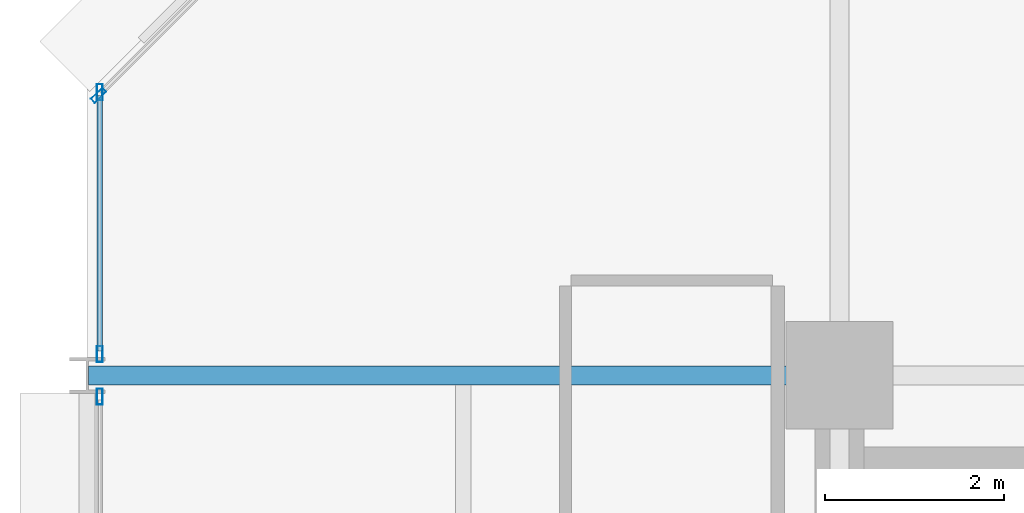
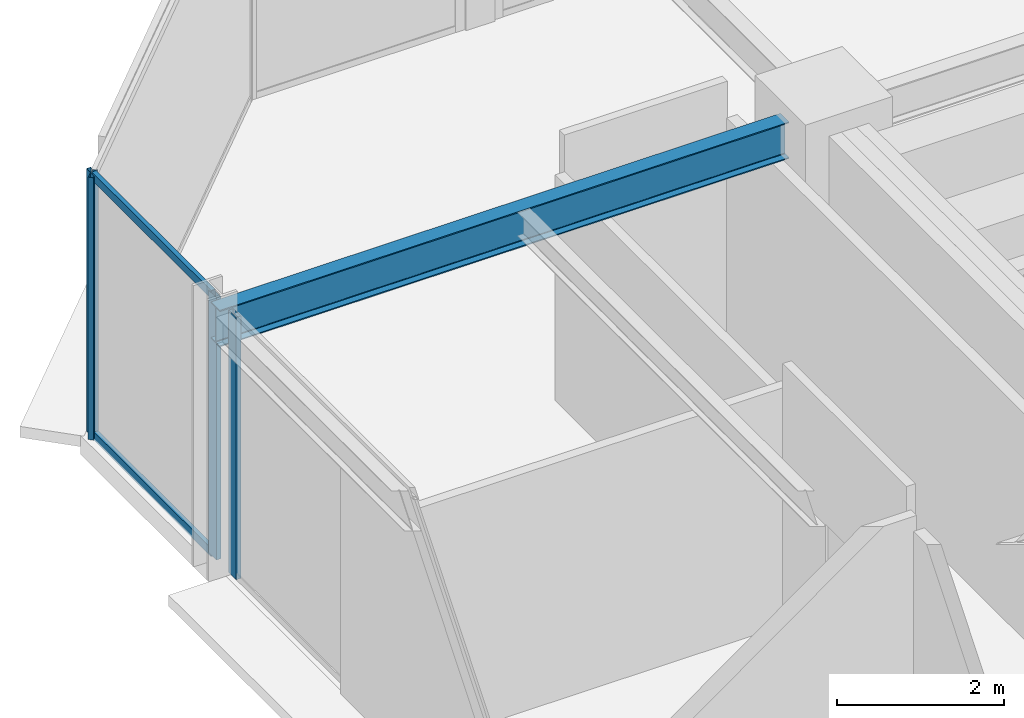
# One storey, part 18 of 30: 6 members, 1 beam, 3 elements without a shape of their own.
"""IFC4 building model written with IfcOpenShell, lengths in metres."""

import ifcopenshell
import ifcopenshell.guid

model = None  # the IFC model being written
_history = None  # IfcOwnerHistory: only IFC2X3 demands one
_inside = {}  # id of a spatial element -> (the spatial element, [elements in it])
_under = {}  # id of a project, library or spatial element -> (it, [spatial elements below it])
_declared = {}  # id of a project -> (the project, [libraries it declares])
_typed = {}  # id of a type object -> (the type object, [elements of that type])
_made_of = {}  # id of a material, layer set ... -> (it, [elements and type objects made of it])


def new_model(schema):
    """Start an empty IFC model of exactly this schema.

    Asked for "IFC4X3", IfcOpenShell would pick the latest addendum, in which some entities
    have other attributes; the version numbers below select the first issue.
    IFC2X3 requires an IfcOwnerHistory on every rooted entity: one is made here for all.
    """
    global model, _history
    if schema == "IFC4X3":
        model = ifcopenshell.file(schema_version=(4, 3, 0, 0))
    else:
        model = ifcopenshell.file(schema=schema)
    _inside.clear()
    _under.clear()
    _declared.clear()
    _typed.clear()
    _made_of.clear()
    _history = None
    if model.schema == "IFC2X3":
        org = make("IfcOrganization", Name="unknown")
        user = make(
            "IfcPersonAndOrganization",
            ThePerson=make("IfcPerson", FamilyName="unknown"),
            TheOrganization=org,
        )
        app = make(
            "IfcApplication",
            ApplicationDeveloper=org,
            Version="unknown",
            ApplicationFullName="unknown",
            ApplicationIdentifier="unknown",
        )
        _history = make(
            "IfcOwnerHistory",
            OwningUser=user,
            OwningApplication=app,
            ChangeAction="ADDED",
            CreationDate=0,
        )
    return model


def make(cls, **values):
    """One entity of the class cls with the attributes given. An attribute that is None is left unset."""
    return model.create_entity(
        cls, **{name: value for name, value in values.items() if value is not None}
    )


def rooted(cls, **values):
    """An entity with a GlobalId (a new one), such as an element, a storey or a relation."""
    return make(cls, GlobalId=ifcopenshell.guid.new(), OwnerHistory=_history, **values)


def si_unit(unit_type, name, prefix=None):
    """IfcSIUnit, for example si_unit("LENGTHUNIT", "METRE", prefix="MILLI")."""
    return make("IfcSIUnit", UnitType=unit_type, Prefix=prefix, Name=name)


def assignment(units):
    """IfcUnitAssignment: the units of a project."""
    return None if units is None else make("IfcUnitAssignment", Units=units)


def point(xyz):
    """IfcCartesianPoint."""
    return None if xyz is None else make("IfcCartesianPoint", Coordinates=xyz)


def direction(xyz):
    """IfcDirection."""
    return None if xyz is None else make("IfcDirection", DirectionRatios=xyz)


def frame(location, z_axis=None, x_axis=None):
    """IfcAxis2Placement3D, a coordinate frame: its origin and axes. An axis left out is left unset."""
    return make(
        "IfcAxis2Placement3D",
        Location=point(location),
        Axis=direction(z_axis),
        RefDirection=direction(x_axis),
    )


def frame_2d(location, x_axis=None):
    """IfcAxis2Placement2D, a coordinate frame in the plane: its origin and x axis."""
    return make(
        "IfcAxis2Placement2D", Location=point(location), RefDirection=direction(x_axis)
    )


def origin():
    """The frame at (0, 0, 0) with its axes left unset."""
    return frame((0.0, 0.0, 0.0))


def origin_2d():
    """The frame at (0, 0) in the plane with its x axis left unset."""
    return frame_2d((0.0, 0.0))


def place(relative_to, where):
    """IfcLocalPlacement: puts the frame where relative to a parent placement (None: the world)."""
    return make(
        "IfcLocalPlacement", PlacementRelTo=relative_to, RelativePlacement=where
    )


def context(
    kind, dimensions, precision=None, world=None, true_north=None, identifier=None
):
    """IfcGeometricRepresentationContext, for example the 3D "Model" context."""
    return make(
        "IfcGeometricRepresentationContext",
        ContextIdentifier=identifier,
        ContextType=kind,
        CoordinateSpaceDimension=dimensions,
        Precision=precision,
        WorldCoordinateSystem=world,
        TrueNorth=true_north,
    )


def subcontext(parent, identifier, kind, view, scale=None):
    """IfcGeometricRepresentationSubContext, for example "Body" below "Model"."""
    return make(
        "IfcGeometricRepresentationSubContext",
        ContextIdentifier=identifier,
        ContextType=kind,
        ParentContext=parent,
        TargetScale=scale,
        TargetView=view,
    )


def project(units=None, contexts=None):
    """IfcProject with its units and contexts."""
    return rooted(
        "IfcProject",
        Name="project",
        RepresentationContexts=contexts,
        UnitsInContext=assignment(units),
    )


def spatial(cls, under=None, at=None, **own):
    """A site, building, storey or space (cls), placed at a placement, below another one or the project."""
    s = rooted(cls, ObjectPlacement=at, **own)
    if under is not None:
        _under.setdefault(under.id(), (under, []))[1].append(s)
    return s


def profile(cls, at=None, kind="AREA", **sizes):
    """A parametric profile (cls). Its sizes go by their IFC names, for example OverallWidth=200.0."""
    return make(cls, ProfileType=kind, Position=at, **sizes)


def hollow_rectangle(**sizes):
    """IfcRectangleHollowProfileDef."""
    return profile("IfcRectangleHollowProfileDef", **sizes)


def i_section(**sizes):
    """IfcIShapeProfileDef."""
    return profile("IfcIShapeProfileDef", **sizes)


def extrude(swept, where, along, depth):
    """IfcExtrudedAreaSolid: the profile swept, set in the frame where, extruded along a direction by depth."""
    return make(
        "IfcExtrudedAreaSolid",
        SweptArea=swept,
        Position=where,
        ExtrudedDirection=direction(along),
        Depth=depth,
    )


def shape(context_of_items, identifier, shape_type, items):
    """IfcShapeRepresentation: the items that make up one representation, for example the "Body"."""
    return make(
        "IfcShapeRepresentation",
        ContextOfItems=context_of_items,
        RepresentationIdentifier=identifier,
        RepresentationType=shape_type,
        Items=items,
    )


def material(Name=None, Category=None):
    """IfcMaterial."""
    return make("IfcMaterial", Name=Name, Category=Category)


def layer(
    of_material, thickness, ventilated=None, Name=None, Category=None, Priority=None
):
    """IfcMaterialLayer: one layer of a wall or slab, of a material (None: an air gap)."""
    return make(
        "IfcMaterialLayer",
        Material=of_material,
        LayerThickness=thickness,
        IsVentilated=ventilated,
        Name=Name,
        Category=Category,
        Priority=Priority,
    )


def layer_set(layers, Name=None):
    """IfcMaterialLayerSet."""
    return make("IfcMaterialLayerSet", MaterialLayers=layers, LayerSetName=Name)


def material_profile(
    of_material, cross_section, Name=None, Category=None, Priority=None
):
    """IfcMaterialProfile: a cross section and its material."""
    return make(
        "IfcMaterialProfile",
        Name=Name,
        Material=of_material,
        Profile=cross_section,
        Priority=Priority,
        Category=Category,
    )


def profile_set(profiles, Name=None, composite=None):
    """IfcMaterialProfileSet."""
    return make(
        "IfcMaterialProfileSet",
        Name=Name,
        MaterialProfiles=profiles,
        CompositeProfile=composite,
    )


def made_of(thing, what):
    """Note that an element or type object is made of a material, layer set ...; save() writes the relation."""
    if what is not None:
        _made_of.setdefault(what.id(), (what, []))[1].append(thing)
    return thing


def type_object(cls, material=None, **own):
    """A type object (cls), such as IfcWallType, which elements share."""
    return made_of(rooted(cls, **own), material)


def element(
    cls,
    number,
    at=None,
    inside=None,
    cuts=None,
    type_object=None,
    material=None,
    context=None,
    identifier="Body",
    shape_type=None,
    held_by="IfcProductDefinitionShape",
    body=None,
    shapes=None,
    **own,
):
    """One element of the class cls, such as IfcWall. Its Tag is "e" and its number.

    at: its placement. inside: the storey or other place that contains it. cuts: it is an
    opening in that element (IfcRelVoidsElement). A single representation is given by context,
    identifier, shape_type and body (its items); several are given by shapes. held_by: the class
    of the entity that holds the representations. save() writes the other relations.
    """
    e = rooted(cls, Tag="e%d" % number, ObjectPlacement=at, **own)
    if body is not None:
        shapes = [shape(context, identifier, shape_type, body)]
    if shapes is not None:
        e.Representation = make(held_by, Representations=shapes)
    if inside is not None:
        _inside.setdefault(inside.id(), (inside, []))[1].append(e)
    if cuts is not None:
        rooted(
            "IfcRelVoidsElement", RelatingBuildingElement=cuts, RelatedOpeningElement=e
        )
    if type_object is not None:
        _typed.setdefault(type_object.id(), (type_object, []))[1].append(e)
    return made_of(e, material)


def aggregate(whole, parts):
    """IfcRelAggregates: a whole, such as a stair, and the parts it consists of."""
    return rooted("IfcRelAggregates", RelatingObject=whole, RelatedObjects=parts)


def save(model, path):
    """Write the relations noted so far, then the file.

    IfcRelAggregates (storeys below a building ...), IfcRelContainedInSpatialStructure (elements
    in a storey), IfcRelDefinesByType, IfcRelAssociatesMaterial and IfcRelDeclares: one each for
    every whole, place, type object, material and project.
    """
    for whole, parts in _under.values():
        aggregate(whole, parts)
    for where, things in _inside.values():
        rooted(
            "IfcRelContainedInSpatialStructure",
            RelatedElements=things,
            RelatingStructure=where,
        )
    for kind, things in _typed.values():
        rooted("IfcRelDefinesByType", RelatedObjects=things, RelatingType=kind)
    for what, things in _made_of.values():
        rooted("IfcRelAssociatesMaterial", RelatedObjects=things, RelatingMaterial=what)
    for by, libraries in _declared.values():
        rooted("IfcRelDeclares", RelatingContext=by, RelatedDefinitions=libraries)
    model.write(path)


model = new_model("IFC4")

# Units and contexts
model_context = context("Model", 3, precision=1e-05, world=origin(), true_north=direction((0.0, 1.0)))
body_context = subcontext(model_context, "Body", "Model", "MODEL_VIEW")
ifc_project = project(units=[si_unit("LENGTHUNIT", "METRE"), si_unit("AREAUNIT", "SQUARE_METRE"), si_unit("VOLUMEUNIT", "CUBIC_METRE"), si_unit("PLANEANGLEUNIT", "RADIAN"), si_unit("MASSUNIT", "GRAM", prefix="KILO")], contexts=[model_context])

# Site, building, storey
site_placement = place(None, origin())
site = spatial("IfcSite", under=ifc_project, at=site_placement, CompositionType="ELEMENT")
building_placement = place(site_placement, origin())
building = spatial("IfcBuilding", under=site, at=building_placement, Name="Nerrivon Quay Data Exchange", CompositionType="ELEMENT")
storey_placement = place(building_placement, frame((0.0, 0.0, 129.5)))
storey = spatial("IfcBuildingStorey", under=building, at=storey_placement, Name="L30", CompositionType="ELEMENT", Elevation=129.5)

# Beam
ifc_material_1 = material(Name="Steel Grade 350", Category="steel")
ifc_material_profile_1 = material_profile(ifc_material_1, i_section(OverallWidth=0.208984375, OverallDepth=0.532958984375, WebThickness=0.01025390625, FlangeThickness=0.015625, FilletRadius=0.013916015625, at=origin_2d()), Name="530UB92.4")
ifc_profile_set_1 = profile_set([ifc_material_profile_1], Name="Steel Grade 350")
beam_type = type_object("IfcBeamType", Name="BM-G3-530UB92", PredefinedType="BEAM", material=ifc_profile_set_1)
beam_placement = place(storey_placement, frame((0.012451171875, 42.0, 3.55859375), z_axis=(1.0, 0.0, 0.0), x_axis=(0.0, 1.0, 0.0)))
element("IfcBeam", 1, at=beam_placement, inside=storey, type_object=beam_type, Name="L30 EW Girder Y=42.0 (0.0..8.4)", PredefinedType="BEAM", context=body_context, shape_type="SweptSolid", body=[
    extrude(i_section(OverallWidth=0.208984375, OverallDepth=0.532958984375, WebThickness=0.01025390625, FlangeThickness=0.015625, FilletRadius=0.013916015625, at=origin_2d()), origin(), (0.0, 0.0, 1.0), 7.84765625),
])

# Curtain wall, member
ifc_material_2 = material(Name="Anodised aluminium 6063-T6", Category="aluminium")
ifc_layer = layer(ifc_material_2, 0.2099609375)
ifc_layer_set = layer_set([ifc_layer], Name="Anodised aluminium 6063-T6")
curtain_wall_type = type_object("IfcCurtainWallType", Name="CW-SYS-02", PredefinedType="NOTDEFINED", material=ifc_layer_set)
curtain_wall_1_placement = place(storey_placement, origin())
curtain_wall_1 = element("IfcCurtainWall", 2, at=curtain_wall_1_placement, inside=storey, type_object=curtain_wall_type, Name="L30 Unitised Curtain Wall 15", PredefinedType="NOTDEFINED")
ifc_material_profile_2 = material_profile(ifc_material_2, hollow_rectangle(XDim=0.06494140625, YDim=0.179931640625, WallThickness=0.00341796875, at=origin_2d()), Name="ALU-MULL-180x65")
ifc_profile_set_2 = profile_set([ifc_material_profile_2], Name="Anodised aluminium 6063-T6")
member_type_1 = type_object("IfcMemberType", Name="CWM-180x65", PredefinedType="MULLION", material=ifc_profile_set_2)
member_1_placement = place(storey_placement, frame((0.139892578125, 41.762451171875, 0.0), z_axis=(0.0, 0.0, 1.0), x_axis=(-1.0, 0.0, 0.0)))
member_1 = element("IfcMember", 3, at=member_1_placement, type_object=member_type_1, Name="CW02 mullion 2", PredefinedType="MULLION", context=body_context, shape_type="SweptSolid", body=[
    extrude(hollow_rectangle(XDim=0.06494140625, YDim=0.179931640625, WallThickness=0.00341796875, at=origin_2d()), origin(), (0.0, 0.0, 1.0), 3.824951171875),
])
aggregate(curtain_wall_1, [member_1])

# Curtain wall, members
curtain_wall_2_placement = place(storey_placement, origin())
curtain_wall_2 = element("IfcCurtainWall", 4, at=curtain_wall_2_placement, inside=storey, type_object=curtain_wall_type, Name="L30 Unitised Curtain Wall 16", PredefinedType="NOTDEFINED")
member_2_placement = place(storey_placement, frame((0.139892578125, 42.237548828125, 0.0), z_axis=(0.0, 0.0, 1.0), x_axis=(-1.0, 0.0, 0.0)))
member_2 = element("IfcMember", 5, at=member_2_placement, type_object=member_type_1, Name="CW02 mullion 1", PredefinedType="MULLION", context=body_context, shape_type="SweptSolid", body=[
    extrude(hollow_rectangle(XDim=0.06494140625, YDim=0.179931640625, WallThickness=0.00341796875, at=origin_2d()), origin(), (0.0, 0.0, 1.0), 3.824951171875),
])
member_3_placement = place(storey_placement, frame((0.139892578125, 45.16259765625, 0.0), z_axis=(0.0, 0.0, 1.0), x_axis=(-1.0, 0.0, 0.0)))
member_3 = element("IfcMember", 6, at=member_3_placement, type_object=member_type_1, Name="CW02 mullion 2", PredefinedType="MULLION", context=body_context, shape_type="SweptSolid", body=[
    extrude(hollow_rectangle(XDim=0.06494140625, YDim=0.179931640625, WallThickness=0.00341796875, at=origin_2d()), origin(), (0.0, 0.0, 1.0), 3.824951171875),
])

# Curtain wall, member
curtain_wall_3_placement = place(storey_placement, origin())
curtain_wall_3 = element("IfcCurtainWall", 7, at=curtain_wall_3_placement, inside=storey, type_object=curtain_wall_type, Name="L30 Unitised Curtain Wall 17", PredefinedType="NOTDEFINED")
member_4_placement = place(storey_placement, frame((0.12548828125, 45.12744140625, 0.0), z_axis=(0.0, 0.0, 1.0), x_axis=(-0.707106781187, 0.707106781187, 0.0)))
member_4 = element("IfcMember", 8, at=member_4_placement, type_object=member_type_1, Name="CW02 mullion 1", PredefinedType="MULLION", context=body_context, shape_type="SweptSolid", body=[
    extrude(hollow_rectangle(XDim=0.06494140625, YDim=0.179931640625, WallThickness=0.00341796875, at=origin_2d()), origin(), (0.0, 0.0, 1.0), 3.824951171875),
])
aggregate(curtain_wall_3, [member_4])

# Member
ifc_material_profile_3 = material_profile(ifc_material_2, hollow_rectangle(XDim=0.06005859375, YDim=0.1201171875, WallThickness=0.003173828125, at=origin_2d()), Name="ALU-TRAN-120x60")
ifc_profile_set_3 = profile_set([ifc_material_profile_3], Name="Anodised aluminium 6063-T6")
member_type_2 = type_object("IfcMemberType", Name="CWT-120x60", PredefinedType="USERDEFINED", material=ifc_profile_set_3)
member_5_placement = place(storey_placement, frame((0.139892578125, 42.27490234375, 0.032470703125), z_axis=(0.0, 1.0, 0.0), x_axis=(-1.0, 0.0, 0.0)))
member_5 = element("IfcMember", 9, at=member_5_placement, type_object=member_type_2, Name="CW02 transom 1.1", ObjectType="TRANSOM", PredefinedType="USERDEFINED", context=body_context, shape_type="SweptSolid", body=[
    extrude(hollow_rectangle(XDim=0.06005859375, YDim=0.1201171875, WallThickness=0.003173828125, at=origin_2d()), origin(), (0.0, 0.0, 1.0), 2.85009765625),
])

member_6_placement = place(storey_placement, frame((0.139892578125, 42.27490234375, 3.79248046875), z_axis=(0.0, 1.0, 0.0), x_axis=(-1.0, 0.0, 0.0)))
member_6 = element("IfcMember", 10, at=member_6_placement, type_object=member_type_2, Name="CW02 transom 1.2", ObjectType="TRANSOM", PredefinedType="USERDEFINED", context=body_context, shape_type="SweptSolid", body=[
    extrude(hollow_rectangle(XDim=0.06005859375, YDim=0.1201171875, WallThickness=0.003173828125, at=origin_2d()), origin(), (0.0, 0.0, 1.0), 2.85009765625),
])

aggregate(curtain_wall_2, [member_2, member_3, member_5, member_6])

save(model, "model.ifc")
